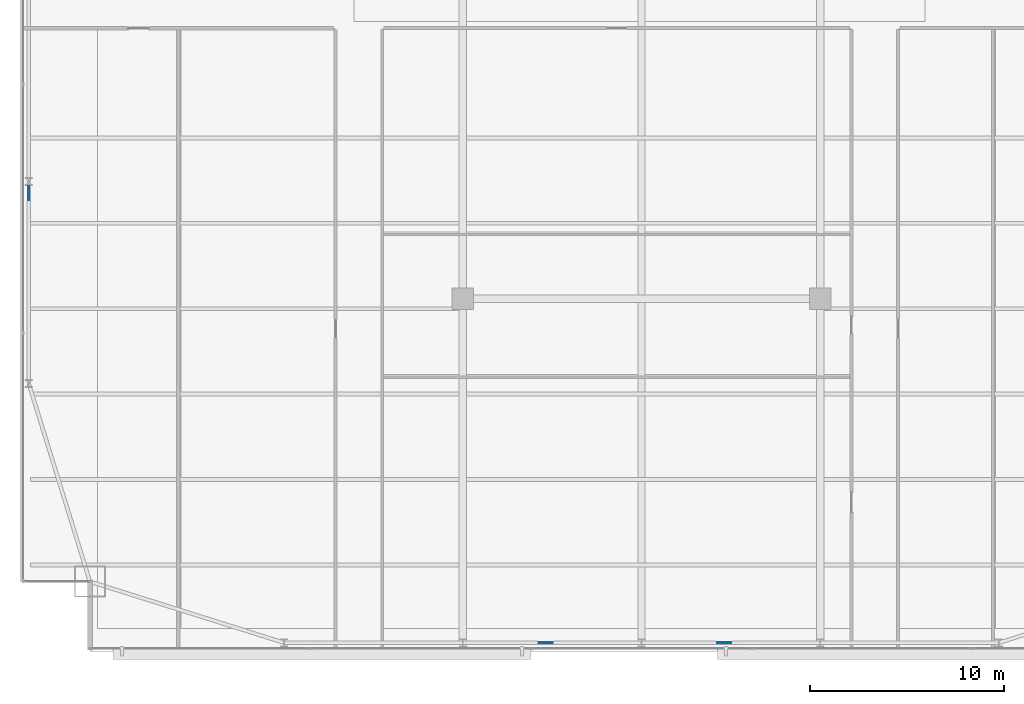
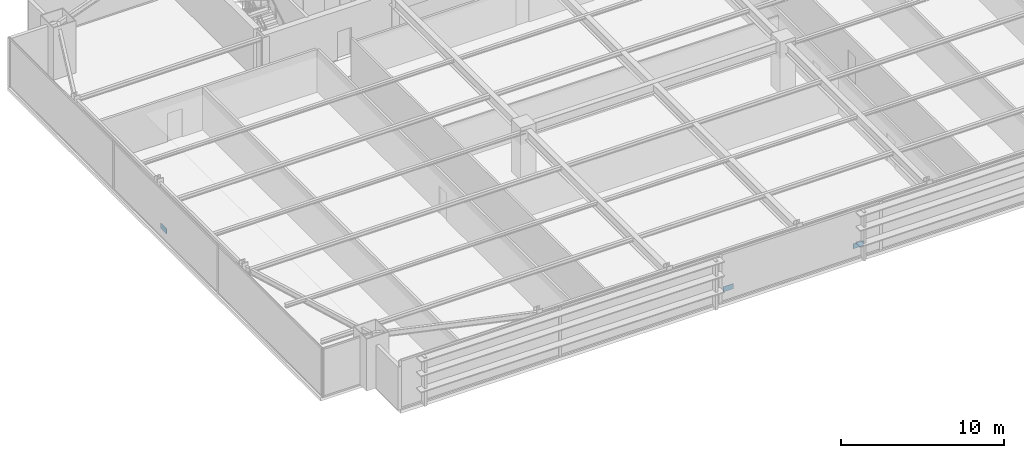
# One storey, part 26 of 32: 3 plates.
"""IFC4 building model written with IfcOpenShell, lengths in metres."""

from ifc_helpers import new_model, si_unit, direction, frame, origin, origin_2d, place, context, subcontext, project, spatial, rectangle, extrude, source, transform, mapped, material, layer, layer_set, type_object, type_shapes, element, save


model = new_model("IFC4")

# Units and contexts
model_context = context("Model", 3, precision=1e-05, world=origin(), true_north=direction((0.0, 1.0)))
body_context = subcontext(model_context, "Body", "Model", "MODEL_VIEW")
ifc_project = project(units=[si_unit("LENGTHUNIT", "METRE"), si_unit("AREAUNIT", "SQUARE_METRE"), si_unit("VOLUMEUNIT", "CUBIC_METRE"), si_unit("PLANEANGLEUNIT", "RADIAN"), si_unit("MASSUNIT", "GRAM", prefix="KILO")], contexts=[model_context])

# Site, building, storey
site_placement = place(None, origin())
site = spatial("IfcSite", under=ifc_project, at=site_placement, CompositionType="ELEMENT")
building_placement = place(site_placement, origin())
building = spatial("IfcBuilding", under=site, at=building_placement, Name="Varnel Quay Broadcast Tower", CompositionType="ELEMENT")
storey_placement = place(building_placement, frame((0.0, 0.0, 70.5)))
storey = spatial("IfcBuildingStorey", under=building, at=storey_placement, Name="L16", CompositionType="ELEMENT", Elevation=70.5)

# Plates
ifc_material = material(Name="Structural Steel CSA G40.21 350WT", Category="steel")
ifc_layer = layer(ifc_material, 0.031982421875, Name="Structural Steel CSA G40.21 350WT")
ifc_layer_set = layer_set([ifc_layer], Name="Structural Steel CSA G40.21 350WT")
plate_type = type_object("IfcPlateType", Name="Plate_EndCap", PredefinedType="USERDEFINED", material=ifc_layer_set)
shared_shape = source(origin(), body_context, "Body", "SweptSolid", [
    extrude(rectangle(XDim=0.719970703125, YDim=0.031982421875, at=origin_2d()), origin(), (0.0, 0.0, 1.0), 0.3798828125),
])
type_shapes(plate_type, [shared_shape])
for number, where, z_axis, x_axis, name in (
    (1, (29.061279296875, 1.64990234375, 0.498046875), (0.0, 0.0, 1.0), (1.0, 0.0, 0.0), "Zone 1 Mega-Brace S-C1T3 Diag B2 End Connection Plate P0"),
    (2, (38.261474609375, 1.64990234375, 0.498046875), (0.0, 0.0, 1.0), (1.0, 0.0, 0.0), "Zone 1 Mega-Brace S-C2T3 Diag B2 End Connection Plate P0"),
    (3, (2.449951171875, 24.79541015625, 0.214599609375), (0.0, 0.0, 1.0), (0.0, 1.0, 0.0), "Zone 1 Mega-Brace W-FT3 Diag B2 End Connection Plate P0"),
):
    element("IfcPlate", number, at=place(storey_placement, frame(where, z_axis=z_axis, x_axis=x_axis)), inside=storey, type_object=plate_type, Name=name, ObjectType="CAP_PLATE", PredefinedType="USERDEFINED", context=body_context, shape_type="MappedRepresentation", body=[
        mapped(shared_shape, transform((0.0, 0.0, 0.0), x_axis=(1.0, 0.0, 0.0), y_axis=(0.0, 1.0, 0.0), z_axis=(0.0, 0.0, 1.0), scale=1.0)),
    ])

save(model, "model.ifc")
